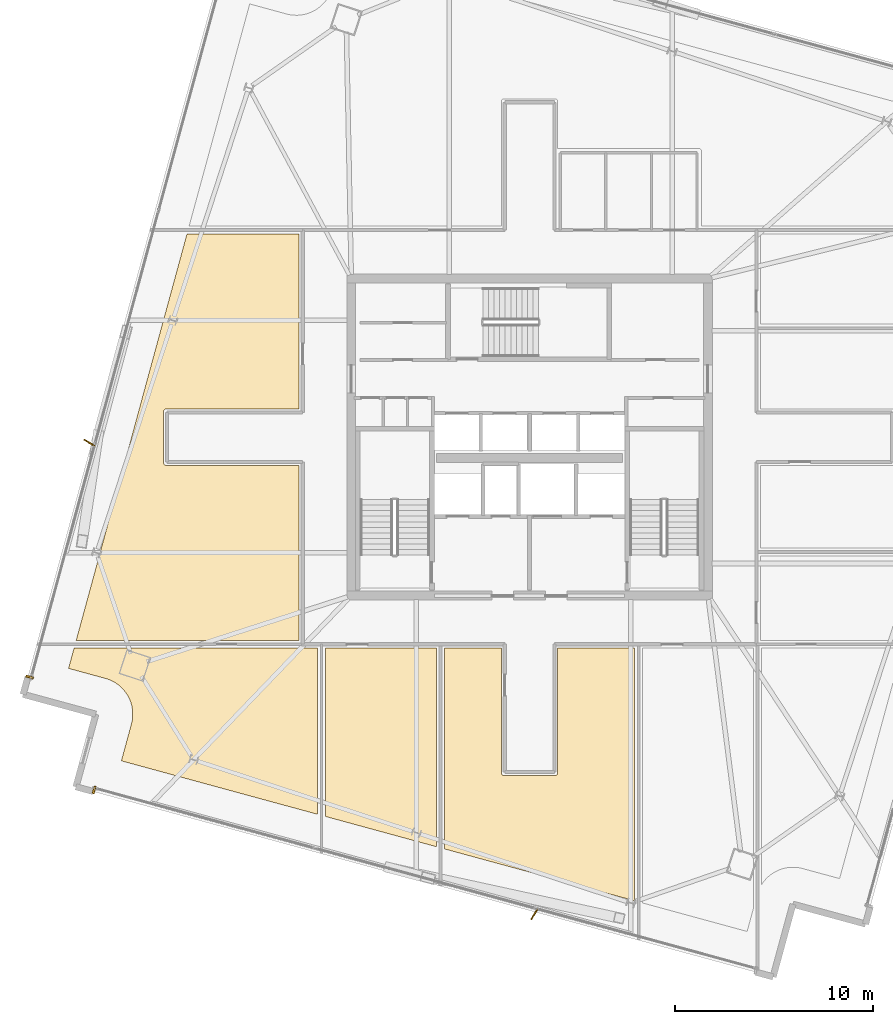
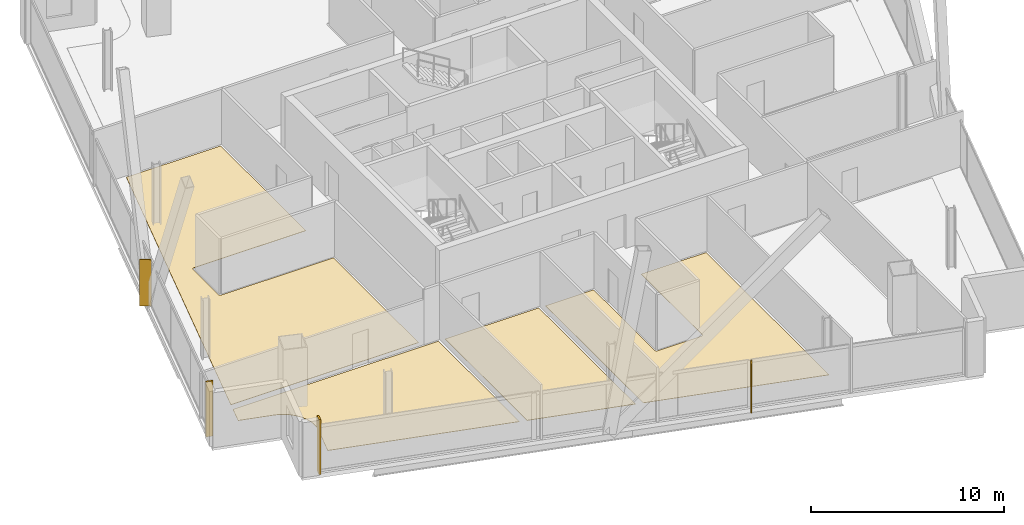
# One storey, part 23 of 26: 6 coverings, 2 shading devices.
"""IFC4 building model written with IfcOpenShell, lengths in metres."""

import ifcopenshell
import ifcopenshell.guid

model = None  # the IFC model being written
_history = None  # IfcOwnerHistory: only IFC2X3 demands one
_inside = {}  # id of a spatial element -> (the spatial element, [elements in it])
_under = {}  # id of a project, library or spatial element -> (it, [spatial elements below it])
_declared = {}  # id of a project -> (the project, [libraries it declares])
_typed = {}  # id of a type object -> (the type object, [elements of that type])
_made_of = {}  # id of a material, layer set ... -> (it, [elements and type objects made of it])


def new_model(schema):
    """Start an empty IFC model of exactly this schema.

    Asked for "IFC4X3", IfcOpenShell would pick the latest addendum, in which some entities
    have other attributes; the version numbers below select the first issue.
    IFC2X3 requires an IfcOwnerHistory on every rooted entity: one is made here for all.
    """
    global model, _history
    if schema == "IFC4X3":
        model = ifcopenshell.file(schema_version=(4, 3, 0, 0))
    else:
        model = ifcopenshell.file(schema=schema)
    _inside.clear()
    _under.clear()
    _declared.clear()
    _typed.clear()
    _made_of.clear()
    _history = None
    if model.schema == "IFC2X3":
        org = make("IfcOrganization", Name="unknown")
        user = make(
            "IfcPersonAndOrganization",
            ThePerson=make("IfcPerson", FamilyName="unknown"),
            TheOrganization=org,
        )
        app = make(
            "IfcApplication",
            ApplicationDeveloper=org,
            Version="unknown",
            ApplicationFullName="unknown",
            ApplicationIdentifier="unknown",
        )
        _history = make(
            "IfcOwnerHistory",
            OwningUser=user,
            OwningApplication=app,
            ChangeAction="ADDED",
            CreationDate=0,
        )
    return model


def make(cls, **values):
    """One entity of the class cls with the attributes given. An attribute that is None is left unset."""
    return model.create_entity(
        cls, **{name: value for name, value in values.items() if value is not None}
    )


def rooted(cls, **values):
    """An entity with a GlobalId (a new one), such as an element, a storey or a relation."""
    return make(cls, GlobalId=ifcopenshell.guid.new(), OwnerHistory=_history, **values)


def si_unit(unit_type, name, prefix=None):
    """IfcSIUnit, for example si_unit("LENGTHUNIT", "METRE", prefix="MILLI")."""
    return make("IfcSIUnit", UnitType=unit_type, Prefix=prefix, Name=name)


def assignment(units):
    """IfcUnitAssignment: the units of a project."""
    return None if units is None else make("IfcUnitAssignment", Units=units)


def point(xyz):
    """IfcCartesianPoint."""
    return None if xyz is None else make("IfcCartesianPoint", Coordinates=xyz)


def direction(xyz):
    """IfcDirection."""
    return None if xyz is None else make("IfcDirection", DirectionRatios=xyz)


def frame(location, z_axis=None, x_axis=None):
    """IfcAxis2Placement3D, a coordinate frame: its origin and axes. An axis left out is left unset."""
    return make(
        "IfcAxis2Placement3D",
        Location=point(location),
        Axis=direction(z_axis),
        RefDirection=direction(x_axis),
    )


def frame_2d(location, x_axis=None):
    """IfcAxis2Placement2D, a coordinate frame in the plane: its origin and x axis."""
    return make(
        "IfcAxis2Placement2D", Location=point(location), RefDirection=direction(x_axis)
    )


def origin():
    """The frame at (0, 0, 0) with its axes left unset."""
    return frame((0.0, 0.0, 0.0))


def origin_2d():
    """The frame at (0, 0) in the plane with its x axis left unset."""
    return frame_2d((0.0, 0.0))


def place(relative_to, where):
    """IfcLocalPlacement: puts the frame where relative to a parent placement (None: the world)."""
    return make(
        "IfcLocalPlacement", PlacementRelTo=relative_to, RelativePlacement=where
    )


def context(
    kind, dimensions, precision=None, world=None, true_north=None, identifier=None
):
    """IfcGeometricRepresentationContext, for example the 3D "Model" context."""
    return make(
        "IfcGeometricRepresentationContext",
        ContextIdentifier=identifier,
        ContextType=kind,
        CoordinateSpaceDimension=dimensions,
        Precision=precision,
        WorldCoordinateSystem=world,
        TrueNorth=true_north,
    )


def subcontext(parent, identifier, kind, view, scale=None):
    """IfcGeometricRepresentationSubContext, for example "Body" below "Model"."""
    return make(
        "IfcGeometricRepresentationSubContext",
        ContextIdentifier=identifier,
        ContextType=kind,
        ParentContext=parent,
        TargetScale=scale,
        TargetView=view,
    )


def project(units=None, contexts=None):
    """IfcProject with its units and contexts."""
    return rooted(
        "IfcProject",
        Name="project",
        RepresentationContexts=contexts,
        UnitsInContext=assignment(units),
    )


def spatial(cls, under=None, at=None, **own):
    """A site, building, storey or space (cls), placed at a placement, below another one or the project."""
    s = rooted(cls, ObjectPlacement=at, **own)
    if under is not None:
        _under.setdefault(under.id(), (under, []))[1].append(s)
    return s


def polyline(points):
    """IfcPolyline through the points."""
    return make("IfcPolyline", Points=[point(p) for p in points])


def profile(cls, at=None, kind="AREA", **sizes):
    """A parametric profile (cls). Its sizes go by their IFC names, for example OverallWidth=200.0."""
    return make(cls, ProfileType=kind, Position=at, **sizes)


def rectangle(**sizes):
    """IfcRectangleProfileDef."""
    return profile("IfcRectangleProfileDef", **sizes)


def outline(outer, holes=None, kind="AREA"):
    """IfcArbitraryClosedProfileDef: a profile drawn as a closed curve; with holes, ...WithVoids."""
    if holes is None:
        return make("IfcArbitraryClosedProfileDef", ProfileType=kind, OuterCurve=outer)
    return make(
        "IfcArbitraryProfileDefWithVoids",
        ProfileType=kind,
        OuterCurve=outer,
        InnerCurves=holes,
    )


def extrude(swept, where, along, depth):
    """IfcExtrudedAreaSolid: the profile swept, set in the frame where, extruded along a direction by depth."""
    return make(
        "IfcExtrudedAreaSolid",
        SweptArea=swept,
        Position=where,
        ExtrudedDirection=direction(along),
        Depth=depth,
    )


def shape(context_of_items, identifier, shape_type, items):
    """IfcShapeRepresentation: the items that make up one representation, for example the "Body"."""
    return make(
        "IfcShapeRepresentation",
        ContextOfItems=context_of_items,
        RepresentationIdentifier=identifier,
        RepresentationType=shape_type,
        Items=items,
    )


def source(mapping_origin, context_of_items, identifier, shape_type, items):
    """IfcRepresentationMap: a shape defined once, which mapped items show again and again."""
    return make(
        "IfcRepresentationMap",
        MappingOrigin=mapping_origin,
        MappedRepresentation=shape(context_of_items, identifier, shape_type, items),
    )


def transform(
    local_origin,
    x_axis=None,
    y_axis=None,
    z_axis=None,
    scale=None,
    scale2=None,
    scale3=None,
    uniform=True,
):
    """IfcCartesianTransformationOperator3D, or its non-uniform kind. x_axis, y_axis, z_axis: its Axis1, 2, 3."""
    if uniform:
        return make(
            "IfcCartesianTransformationOperator3D",
            Axis1=direction(x_axis),
            Axis2=direction(y_axis),
            LocalOrigin=point(local_origin),
            Scale=scale,
            Axis3=direction(z_axis),
        )
    return make(
        "IfcCartesianTransformationOperator3DnonUniform",
        Axis1=direction(x_axis),
        Axis2=direction(y_axis),
        LocalOrigin=point(local_origin),
        Scale=scale,
        Axis3=direction(z_axis),
        Scale2=scale2,
        Scale3=scale3,
    )


def mapped(mapping_source, mapping_target):
    """IfcMappedItem: shows the shape of a source again, moved by a transform."""
    return make(
        "IfcMappedItem", MappingSource=mapping_source, MappingTarget=mapping_target
    )


def material(Name=None, Category=None):
    """IfcMaterial."""
    return make("IfcMaterial", Name=Name, Category=Category)


def layer(
    of_material, thickness, ventilated=None, Name=None, Category=None, Priority=None
):
    """IfcMaterialLayer: one layer of a wall or slab, of a material (None: an air gap)."""
    return make(
        "IfcMaterialLayer",
        Material=of_material,
        LayerThickness=thickness,
        IsVentilated=ventilated,
        Name=Name,
        Category=Category,
        Priority=Priority,
    )


def layer_set(layers, Name=None):
    """IfcMaterialLayerSet."""
    return make("IfcMaterialLayerSet", MaterialLayers=layers, LayerSetName=Name)


def made_of(thing, what):
    """Note that an element or type object is made of a material, layer set ...; save() writes the relation."""
    if what is not None:
        _made_of.setdefault(what.id(), (what, []))[1].append(thing)
    return thing


def type_object(cls, material=None, **own):
    """A type object (cls), such as IfcWallType, which elements share."""
    return made_of(rooted(cls, **own), material)


def element(
    cls,
    number,
    at=None,
    inside=None,
    cuts=None,
    type_object=None,
    material=None,
    context=None,
    identifier="Body",
    shape_type=None,
    held_by="IfcProductDefinitionShape",
    body=None,
    shapes=None,
    **own,
):
    """One element of the class cls, such as IfcWall. Its Tag is "e" and its number.

    at: its placement. inside: the storey or other place that contains it. cuts: it is an
    opening in that element (IfcRelVoidsElement). A single representation is given by context,
    identifier, shape_type and body (its items); several are given by shapes. held_by: the class
    of the entity that holds the representations. save() writes the other relations.
    """
    e = rooted(cls, Tag="e%d" % number, ObjectPlacement=at, **own)
    if body is not None:
        shapes = [shape(context, identifier, shape_type, body)]
    if shapes is not None:
        e.Representation = make(held_by, Representations=shapes)
    if inside is not None:
        _inside.setdefault(inside.id(), (inside, []))[1].append(e)
    if cuts is not None:
        rooted(
            "IfcRelVoidsElement", RelatingBuildingElement=cuts, RelatedOpeningElement=e
        )
    if type_object is not None:
        _typed.setdefault(type_object.id(), (type_object, []))[1].append(e)
    return made_of(e, material)


def aggregate(whole, parts):
    """IfcRelAggregates: a whole, such as a stair, and the parts it consists of."""
    return rooted("IfcRelAggregates", RelatingObject=whole, RelatedObjects=parts)


def save(model, path):
    """Write the relations noted so far, then the file.

    IfcRelAggregates (storeys below a building ...), IfcRelContainedInSpatialStructure (elements
    in a storey), IfcRelDefinesByType, IfcRelAssociatesMaterial and IfcRelDeclares: one each for
    every whole, place, type object, material and project.
    """
    for whole, parts in _under.values():
        aggregate(whole, parts)
    for where, things in _inside.values():
        rooted(
            "IfcRelContainedInSpatialStructure",
            RelatedElements=things,
            RelatingStructure=where,
        )
    for kind, things in _typed.values():
        rooted("IfcRelDefinesByType", RelatedObjects=things, RelatingType=kind)
    for what, things in _made_of.values():
        rooted("IfcRelAssociatesMaterial", RelatedObjects=things, RelatingMaterial=what)
    for by, libraries in _declared.values():
        rooted("IfcRelDeclares", RelatingContext=by, RelatedDefinitions=libraries)
    model.write(path)


model = new_model("IFC4")

# Units and contexts
model_context = context("Model", 3, precision=1e-05, world=origin(), true_north=direction((0.0, 1.0)))
body_context = subcontext(model_context, "Body", "Model", "MODEL_VIEW")
ifc_project = project(units=[si_unit("LENGTHUNIT", "METRE"), si_unit("AREAUNIT", "SQUARE_METRE"), si_unit("VOLUMEUNIT", "CUBIC_METRE"), si_unit("PLANEANGLEUNIT", "RADIAN"), si_unit("MASSUNIT", "GRAM", prefix="KILO")], contexts=[model_context])

# Site, building, storey
site_placement = place(None, origin())
site = spatial("IfcSite", under=ifc_project, at=site_placement, CompositionType="ELEMENT")
building_placement = place(site_placement, origin())
building = spatial("IfcBuilding", under=site, at=building_placement, Name="Haldenkirk Collegiate Tower", CompositionType="ELEMENT")
storey_placement = place(building_placement, frame((0.0, 0.0, 278.699951171875)))
storey = spatial("IfcBuildingStorey", under=building, at=storey_placement, Name="L70", CompositionType="ELEMENT", Elevation=278.699951171875)

# Coverings
ifc_material_1 = material(Name="Polished collegiate terrazzo", Category="concrete")
ifc_layer_1 = layer(ifc_material_1, 0.02490234375)
ifc_layer_set_1 = layer_set([ifc_layer_1], Name="Polished collegiate terrazzo")
covering_type_1 = type_object("IfcCoveringType", Name="COV-FLOOR-TERRAZZO", PredefinedType="FLOORING", material=ifc_layer_set_1)
covering_1_placement = place(storey_placement, origin())
element("IfcCovering", 1, at=covering_1_placement, inside=storey, type_object=covering_type_1, Name="L70 academic room finish 02", PredefinedType="FLOORING", context=body_context, shape_type="SweptSolid", body=[
    extrude(outline(polyline([(25.699951171875, 6.85498046875), (25.699951171875, 15.35009765625), (31.300048828125, 15.35009765625), (31.300048828125, 5.328369140625), (25.699951171875, 6.85498046875)])), origin(), (0.0, 0.0, 1.0), 0.025146484375),
])
ifc_material_2 = material(Name="Engineered collegiate oak acoustic flooring", Category="wood")
ifc_layer_2 = layer(ifc_material_2, 0.02197265625)
ifc_layer_set_2 = layer_set([ifc_layer_2], Name="Engineered collegiate oak acoustic flooring")
covering_type_2 = type_object("IfcCoveringType", Name="COV-FLOOR-TIMBER", PredefinedType="FLOORING", material=ifc_layer_set_2)
covering_2_placement = place(storey_placement, origin())
element("IfcCovering", 2, at=covering_2_placement, inside=storey, type_object=covering_type_2, Name="L70 academic room finish 01", PredefinedType="FLOORING", context=body_context, shape_type="SweptSolid", body=[
    extrude(outline(polyline([(15.397705078125, 9.663818359375), (15.9052734375, 11.52587890625), (15.90673828125, 11.531494140625), (15.943603515625, 11.69921875), (15.94580078125, 11.7109375), (15.966064453125, 11.88134765625), (15.966796875, 11.89306640625), (15.970458984375, 12.064697265625), (15.969970703125, 12.07666015625), (15.956787109375, 12.247802734375), (15.955322265625, 12.259521484375), (15.92529296875, 12.4287109375), (15.922607421875, 12.43994140625), (15.876220703125, 12.60546875), (15.87255859375, 12.61669921875), (15.81005859375, 12.776611328125), (15.805419921875, 12.787353515625), (15.7275390625, 12.9404296875), (15.7216796875, 12.95068359375), (15.629150390625, 13.095458984375), (15.622314453125, 13.10498046875), (15.51611328125, 13.239990234375), (15.508544921875, 13.248779296875), (15.3896484375, 13.372802734375), (15.381103515625, 13.380859375), (15.25048828125, 13.49267578125), (15.2412109375, 13.499755859375), (15.100341796875, 13.59814453125), (15.090576171875, 13.604248046875), (14.94091796875, 13.6884765625), (14.93017578125, 13.693603515625), (14.77294921875, 13.7626953125), (14.761962890625, 13.766845703125), (14.5986328125, 13.8203125), (14.593017578125, 13.822021484375), (12.73095703125, 14.32958984375), (13.00927734375, 15.35009765625), (25.300048828125, 15.35009765625), (25.300048828125, 6.964111328125), (15.397705078125, 9.663818359375)])), origin(), (0.0, 0.0, 1.0), 0.02197265625),
])
covering_3_placement = place(storey_placement, origin())
element("IfcCovering", 3, at=covering_3_placement, inside=storey, type_object=covering_type_2, Name="L70 academic room finish 03", PredefinedType="FLOORING", context=body_context, shape_type="SweptSolid", body=[
    extrude(outline(polyline([(31.699951171875, 5.21923828125), (31.699951171875, 15.35009765625), (34.580078125, 15.35009765625), (34.580078125, 9.050048828125), (34.58056640625, 9.0380859375), (34.582275390625, 9.026611328125), (34.585205078125, 9.01513671875), (34.589111328125, 9.004150390625), (34.59423828125, 8.993408203125), (34.60009765625, 8.9833984375), (34.607177734375, 8.973876953125), (34.614990234375, 8.965087890625), (34.623779296875, 8.957275390625), (34.63330078125, 8.9501953125), (34.643310546875, 8.944091796875), (34.654052734375, 8.939208984375), (34.665283203125, 8.935302734375), (34.676513671875, 8.932373046875), (34.688232421875, 8.9306640625), (34.699951171875, 8.929931640625), (37.300048828125, 8.929931640625), (37.311767578125, 8.9306640625), (37.323486328125, 8.932373046875), (37.334716796875, 8.935302734375), (37.345947265625, 8.939208984375), (37.356689453125, 8.944091796875), (37.36669921875, 8.9501953125), (37.376220703125, 8.957275390625), (37.385009765625, 8.965087890625), (37.392822265625, 8.973876953125), (37.39990234375, 8.9833984375), (37.40576171875, 8.993408203125), (37.410888671875, 9.004150390625), (37.414794921875, 9.01513671875), (37.417724609375, 9.026611328125), (37.41943359375, 9.0380859375), (37.419921875, 9.050048828125), (37.419921875, 15.35009765625), (41.300048828125, 15.35009765625), (41.300048828125, 2.60205078125), (31.699951171875, 5.21923828125)])), origin(), (0.0, 0.0, 1.0), 0.02197265625),
])
covering_4_placement = place(storey_placement, origin())
element("IfcCovering", 4, at=covering_4_placement, inside=storey, type_object=covering_type_2, Name="L70 academic room finish 07", PredefinedType="FLOORING", context=body_context, shape_type="SweptSolid", body=[
    extrude(outline(polyline([(17.64990234375, 27.419921875), (17.63818359375, 27.41943359375), (17.626708984375, 27.417724609375), (17.615234375, 27.414794921875), (17.60400390625, 27.410888671875), (17.593505859375, 27.40576171875), (17.583251953125, 27.39990234375), (17.573974609375, 27.392822265625), (17.565185546875, 27.385009765625), (17.55712890625, 27.376220703125), (17.55029296875, 27.36669921875), (17.544189453125, 27.356689453125), (17.5390625, 27.345947265625), (17.53515625, 27.334716796875), (17.5322265625, 27.323486328125), (17.530517578125, 27.311767578125), (17.530029296875, 27.300048828125), (17.530029296875, 24.699951171875), (17.530517578125, 24.688232421875), (17.5322265625, 24.676513671875), (17.53515625, 24.665283203125), (17.5390625, 24.654052734375), (17.544189453125, 24.643310546875), (17.55029296875, 24.63330078125), (17.55712890625, 24.623779296875), (17.565185546875, 24.614990234375), (17.573974609375, 24.607177734375), (17.583251953125, 24.60009765625), (17.593505859375, 24.59423828125), (17.60400390625, 24.589111328125), (17.615234375, 24.585205078125), (17.626708984375, 24.582275390625), (17.63818359375, 24.58056640625), (17.64990234375, 24.580078125), (24.35009765625, 24.580078125), (24.35009765625, 15.75), (13.1181640625, 15.75), (18.70703125, 36.25), (24.35009765625, 36.25), (24.35009765625, 27.419921875), (17.64990234375, 27.419921875)])), origin(), (0.0, 0.0, 1.0), 0.02197265625),
])
ifc_material_3 = material(Name="Anodised architectural bronze aluminium", Category="aluminium")
ifc_layer_3 = layer(ifc_material_3, 0.06005859375)
ifc_layer_set_3 = layer_set([ifc_layer_3], Name="Anodised architectural bronze aluminium")
covering_type_3 = type_object("IfcCoveringType", Name="COV-CLAD-BRONZE-60", PredefinedType="CLADDING", material=ifc_layer_set_3)
shared_shape_1 = source(origin(), body_context, "Body", "SweptSolid", [
    extrude(rectangle(XDim=0.10009765625, YDim=0.3798828125, at=origin_2d()), origin(), (0.0, 0.0, 1.0), 3.47998046875),
])
for number, where, z_axis, x_axis, name in (
    (5, (10.766357421875, 13.890869140625, 0.0), (0.0, 0.0, 1.0), (0.263031214458, 0.964787323829, 0.0), "L70 recessed curtain-wall bronze jamb closure NJL"),
    (6, (14.0224609375, 8.193603515625, 0.0), (0.0, 0.0, 1.0), (-0.964787323829, 0.263031214458, 0.0), "L70 recessed curtain-wall bronze jamb closure WJR"),
):
    element("IfcCovering", number, at=place(storey_placement, frame(where, z_axis=z_axis, x_axis=x_axis)), inside=storey, type_object=covering_type_3, Name=name, PredefinedType="CLADDING", context=body_context, shape_type="MappedRepresentation", body=[
        mapped(shared_shape_1, transform((0.0, 0.0, 0.0), x_axis=(1.0, 0.0, 0.0), y_axis=(0.0, 1.0, 0.0), z_axis=(0.0, 0.0, 1.0), scale=1.0)),
    ])

# Shading devices
ifc_layer_4 = layer(ifc_material_3, 0.06494140625)
ifc_layer_set_4 = layer_set([ifc_layer_4], Name="Anodised architectural bronze aluminium")
shading_device_type = type_object("IfcShadingDeviceType", Name="SHD-FIN-BRONZE-620", PredefinedType="USERDEFINED", material=ifc_layer_set_4)
shared_shape_2 = source(origin(), body_context, "Body", "SweptSolid", [
    extrude(rectangle(XDim=0.6201171875, YDim=0.06494140625, at=origin_2d()), origin(), (0.0, 0.0, 1.0), 2.93798828125),
])
for number, where, z_axis, x_axis, name in (
    (7, (13.778564453125, 25.718505859375, 0.0), (0.0, 0.0, 1.0), (-0.854911870673, 0.518773258161, 0.0), "L70 folded bronze solar fin 1"),
    (8, (36.2421875, 1.923583984375, 0.0), (0.0, 0.0, 1.0), (-0.518773258161, -0.854911870673, 0.0), "L70 folded bronze solar fin 1"),
):
    element("IfcShadingDevice", number, at=place(storey_placement, frame(where, z_axis=z_axis, x_axis=x_axis)), inside=storey, type_object=shading_device_type, Name=name, ObjectType="FIN", PredefinedType="USERDEFINED", context=body_context, shape_type="MappedRepresentation", body=[
        mapped(shared_shape_2, transform((0.0, 0.0, 0.0), x_axis=(1.0, 0.0, 0.0), y_axis=(0.0, 1.0, 0.0), z_axis=(0.0, 0.0, 1.0), scale=1.0)),
    ])

save(model, "model.ifc")
